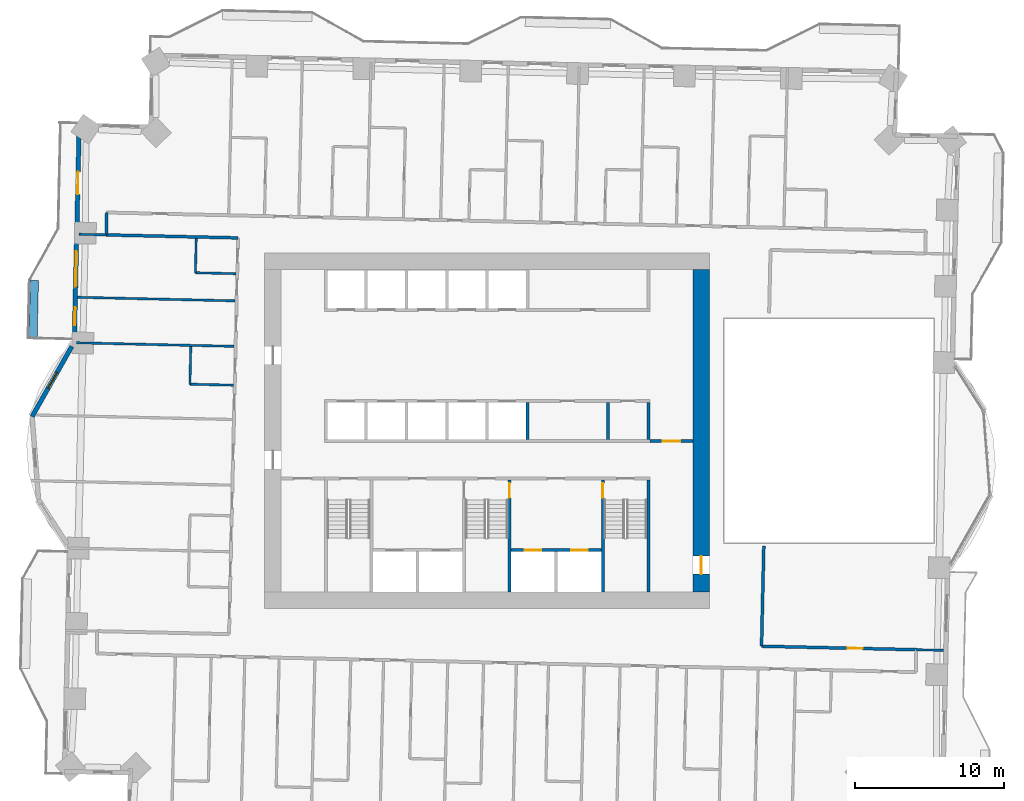
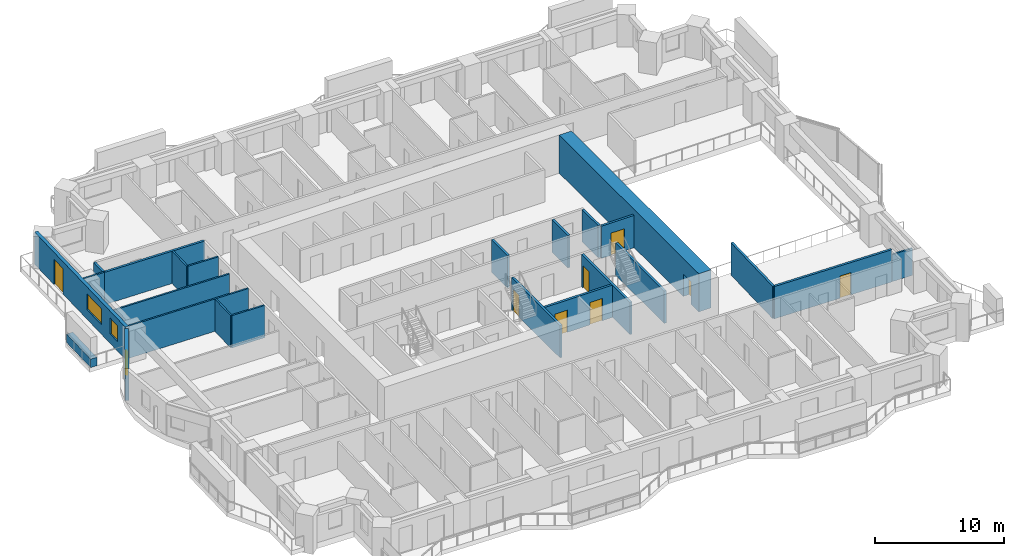
# One storey, part 10 of 18: 24 walls, 8 doors, 3 windows, 11 openings.
"""IFC4 building model written with IfcOpenShell, lengths in metres."""

from ifc_helpers import new_model, si_unit, direction, frame, frame_2d, origin, place, context, subcontext, project, spatial, rectangle, extrude, material, layer, layer_set, type_object, element, fill, save


model = new_model("IFC4")

# Units and contexts
model_context = context("Model", 3, precision=1e-05, world=origin(), true_north=direction((0.0, 1.0)))
body_context = subcontext(model_context, "Body", "Model", "MODEL_VIEW")
ifc_project = project(units=[si_unit("LENGTHUNIT", "METRE"), si_unit("AREAUNIT", "SQUARE_METRE"), si_unit("VOLUMEUNIT", "CUBIC_METRE"), si_unit("PLANEANGLEUNIT", "RADIAN"), si_unit("MASSUNIT", "GRAM", prefix="KILO")], contexts=[model_context])

# Site, building, storey
site_placement = place(None, origin())
site = spatial("IfcSite", under=ifc_project, at=site_placement, CompositionType="ELEMENT")
building_placement = place(site_placement, origin())
building = spatial("IfcBuilding", under=site, at=building_placement, Name="Mangrove Gate Tower", CompositionType="ELEMENT")
storey_placement = place(building_placement, frame((0.0, 0.0, 71.10009765625)))
storey = spatial("IfcBuildingStorey", under=building, at=storey_placement, Name="L17", CompositionType="ELEMENT", Elevation=71.10009765625)

# Wall, opening, door
ifc_material_1 = material(Name="Concrete C32/40", Category="concrete")
ifc_layer_1 = layer(ifc_material_1, 0.199951171875)
ifc_layer_set_1 = layer_set([ifc_layer_1], Name="Core lobby wall 200 C32/40")
wall_type_1 = type_object("IfcWallType", Name="Core lobby wall 200 C32/40", PredefinedType="STANDARD", material=ifc_layer_set_1)
wall_1_placement = place(storey_placement, frame((10.89990234375, -0.699951171875, 0.0), z_axis=(0.0, 0.0, 1.0), x_axis=(1.0, 0.0, 0.0)))
wall_1 = element("IfcWall", 1, at=wall_1_placement, inside=storey, type_object=wall_type_1, Name="WALL-L17-CORE-35", PredefinedType="STANDARD", context=body_context, shape_type="SweptSolid", body=[
    extrude(rectangle(XDim=2.900146484375, YDim=0.199951171875, at=frame_2d((1.4501953125, 0.0))), origin(), (0.0, 0.0, 1.0), 3.0498046875),
])
opening_1_placement = place(wall_1_placement, frame((0.85009765625, 0.0, 0.0)))
opening_1 = element("IfcOpeningElement", 2, at=opening_1_placement, cuts=wall_1, Name="Opening FL12", PredefinedType="OPENING", context=body_context, shape_type="SweptSolid", body=[
    extrude(rectangle(XDim=1.199951171875, YDim=2.10009765625, at=frame_2d((0.60009765625, 1.050048828125))), frame((0.0, 0.10986328125, 0.0), z_axis=(0.0, -1.0, 0.0), x_axis=(1.0, 0.0, 0.0)), (0.0, 0.0, 1.0), 0.219970703125),
])
ifc_material_2 = material(Name="Fire-rated steel door set", Category="steel")
door_type_1 = type_object("IfcDoorType", Name="Lobby door FD60 1200x2100", OperationType="SINGLE_SWING_LEFT", PredefinedType="DOOR", material=ifc_material_2)
door_1_placement = place(opening_1_placement, origin())
door_1 = element("IfcDoor", 3, at=door_1_placement, inside=storey, type_object=door_type_1, Name="Lobby door core corridor E partition", OperationType="SINGLE_SWING_LEFT", OverallHeight=2.10009765625, OverallWidth=1.199951171875, PredefinedType="DOOR", context=body_context, shape_type="SweptSolid", body=[
    extrude(rectangle(XDim=1.199951171875, YDim=2.10009765625, at=frame_2d((0.60009765625, 1.050048828125))), frame((0.0, 0.02490234375, 0.0), z_axis=(0.0, -1.0, 0.0), x_axis=(1.0, 0.0, 0.0)), (0.0, 0.0, 1.0), 0.050048828125),
])
fill(opening_1, door_1)

# Walls
ifc_material_3 = material(Name="Concrete C32/40", Category="concrete")
ifc_layer_2 = layer(ifc_material_3, 0.199951171875)
ifc_layer_set_2 = layer_set([ifc_layer_2], Name="Core room wall 200 C32/40")
wall_type_2 = type_object("IfcWallType", Name="Core room wall 200 C32/40", PredefinedType="STANDARD", material=ifc_layer_set_2)
for number, where, z_axis, x_axis, name in (
    (4, (8.10009765625, -0.60009765625, 0.0), (0.0, 0.0, 1.0), (0.0, 1.0, 0.0), "WALL-L17-CORE-25"),
    (5, (10.800048828125, -0.60009765625, 0.0), (0.0, 0.0, 1.0), (0.0, 1.0, 0.0), "WALL-L17-CORE-26"),
):
    element("IfcWall", number, at=place(storey_placement, frame(where, z_axis=z_axis, x_axis=x_axis)), inside=storey, type_object=wall_type_2, Name=name, PredefinedType="STANDARD", context=body_context, shape_type="SweptSolid", body=[
        extrude(rectangle(XDim=2.5, YDim=0.199951171875, at=frame_2d((1.25, 0.0))), origin(), (0.0, 0.0, 1.0), 3.0498046875),
    ])

# Wall, openings, doors
ifc_material_4 = material(Name="Concrete C70/85", Category="concrete")
ifc_layer_3 = layer(ifc_material_4, 0.199951171875)
ifc_layer_set_3 = layer_set([ifc_layer_3], Name="Core shaft wall 200 C70/85")
wall_type_3 = type_object("IfcWallType", Name="Core shaft wall 200 C70/85", PredefinedType="SHEAR", material=ifc_layer_set_3)
wall_2_placement = place(storey_placement, frame((1.60009765625, -8.0, 0.0), z_axis=(0.0, 0.0, 1.0), x_axis=(1.0, 0.0, 0.0)))
wall_2 = element("IfcWall", 6, at=wall_2_placement, inside=storey, type_object=wall_type_3, Name="WALL-L17-CORE-17", PredefinedType="SHEAR", context=body_context, shape_type="SweptSolid", body=[
    extrude(rectangle(XDim=6.0498046875, YDim=0.199951171875, at=frame_2d((3.02490234375, 0.0))), origin(), (0.0, 0.0, 1.0), 3.0498046875),
])
opening_2_placement = place(wall_2_placement, frame((0.91259765625, 0.0, 0.0)))
opening_2 = element("IfcOpeningElement", 7, at=opening_2_placement, cuts=wall_2, Name="Opening LD", PredefinedType="OPENING", context=body_context, shape_type="SweptSolid", body=[
    extrude(rectangle(XDim=1.10009765625, YDim=2.10009765625, at=frame_2d((0.550048828125, 1.050048828125))), frame((0.0, 0.10986328125, 0.0), z_axis=(0.0, -1.0, 0.0), x_axis=(1.0, 0.0, 0.0)), (0.0, 0.0, 1.0), 0.219970703125),
])
opening_3_placement = place(wall_2_placement, frame((4.03759765625, 0.0, 0.0)))
opening_3 = element("IfcOpeningElement", 8, at=opening_3_placement, cuts=wall_2, Name="Opening LD", PredefinedType="OPENING", context=body_context, shape_type="SweptSolid", body=[
    extrude(rectangle(XDim=1.10009765625, YDim=2.10009765625, at=frame_2d((0.550048828125, 1.050048828125))), frame((0.0, 0.10986328125, 0.0), z_axis=(0.0, -1.0, 0.0), x_axis=(1.0, 0.0, 0.0)), (0.0, 0.0, 1.0), 0.219970703125),
])
ifc_material_5 = material(Name="Stainless steel 316", Category="steel")
door_type_2 = type_object("IfcDoorType", Name="Lift landing door 1100x2100", OperationType="SLIDING_TO_LEFT", PredefinedType="DOOR", material=ifc_material_5)
door_2_placement = place(opening_2_placement, origin())
door_2 = element("IfcDoor", 9, at=door_2_placement, inside=storey, type_object=door_type_2, Name="Landing door LD FFL1", OperationType="SLIDING_TO_LEFT", OverallHeight=2.10009765625, OverallWidth=1.10009765625, PredefinedType="DOOR", context=body_context, shape_type="SweptSolid", body=[
    extrude(rectangle(XDim=1.10009765625, YDim=2.10009765625, at=frame_2d((0.550048828125, 1.050048828125))), frame((0.0, 0.02490234375, 0.0), z_axis=(0.0, -1.0, 0.0), x_axis=(1.0, 0.0, 0.0)), (0.0, 0.0, 1.0), 0.050048828125),
])
fill(opening_2, door_2)
door_3_placement = place(opening_3_placement, origin())
door_3 = element("IfcDoor", 10, at=door_3_placement, inside=storey, type_object=door_type_2, Name="Landing door LD FFL2", OperationType="SLIDING_TO_LEFT", OverallHeight=2.10009765625, OverallWidth=1.10009765625, PredefinedType="DOOR", context=body_context, shape_type="SweptSolid", body=[
    extrude(rectangle(XDim=1.10009765625, YDim=2.10009765625, at=frame_2d((0.550048828125, 1.050048828125))), frame((0.0, 0.02490234375, 0.0), z_axis=(0.0, -1.0, 0.0), x_axis=(1.0, 0.0, 0.0)), (0.0, 0.0, 1.0), 0.050048828125),
])
fill(opening_3, door_3)

# Wall
wall_3_placement = place(storey_placement, frame((2.699951171875, -0.60009765625, 0.0), z_axis=(0.0, 0.0, 1.0), x_axis=(0.0, 1.0, 0.0)))
element("IfcWall", 11, at=wall_3_placement, inside=storey, type_object=wall_type_3, Name="WALL-L17-CORE-24", PredefinedType="SHEAR", context=body_context, shape_type="SweptSolid", body=[
    extrude(rectangle(XDim=2.5, YDim=0.199951171875, at=frame_2d((1.25, 0.0))), origin(), (0.0, 0.0, 1.0), 3.0498046875),
])

# Wall, opening, door
ifc_material_6 = material(Name="Concrete C70/85", Category="concrete")
ifc_layer_4 = layer(ifc_material_6, 0.199951171875)
ifc_layer_set_4 = layer_set([ifc_layer_4], Name="Core stair wall 200 C70/85")
wall_type_4 = type_object("IfcWallType", Name="Core stair wall 200 C70/85", PredefinedType="SHEAR", material=ifc_layer_set_4)
wall_4_placement = place(storey_placement, frame((1.5, -10.800048828125, 0.0), z_axis=(0.0, 0.0, 1.0), x_axis=(0.0, 1.0, 0.0)))
wall_4 = element("IfcWall", 12, at=wall_4_placement, inside=storey, type_object=wall_type_4, Name="WALL-L17-CORE-12", PredefinedType="SHEAR", context=body_context, shape_type="SweptSolid", body=[
    extrude(rectangle(XDim=7.5, YDim=0.199951171875, at=frame_2d((3.75, 0.0))), origin(), (0.0, 0.0, 1.0), 3.0498046875),
])
opening_4_placement = place(wall_4_placement, frame((6.300048828125, 0.0, 0.0)))
opening_4 = element("IfcOpeningElement", 13, at=opening_4_placement, cuts=wall_4, Name="Opening STD10", PredefinedType="OPENING", context=body_context, shape_type="SweptSolid", body=[
    extrude(rectangle(XDim=1.0, YDim=2.10009765625, at=frame_2d((0.5, 1.050048828125))), frame((0.0, 0.10986328125, 0.0), z_axis=(0.0, -1.0, 0.0), x_axis=(1.0, 0.0, 0.0)), (0.0, 0.0, 1.0), 0.219970703125),
])
ifc_material_7 = material(Name="Fire-rated steel door set", Category="steel")
door_type_3 = type_object("IfcDoorType", Name="Stair door FD60 1000x2100", OperationType="SINGLE_SWING_RIGHT", PredefinedType="DOOR", material=ifc_material_7)
door_4_placement = place(opening_4_placement, origin())
door_4 = element("IfcDoor", 14, at=door_4_placement, inside=storey, type_object=door_type_3, Name="Stair door Stair 2 from fire-fighting lobby", OperationType="SINGLE_SWING_RIGHT", OverallHeight=2.10009765625, OverallWidth=1.0, PredefinedType="DOOR", context=body_context, shape_type="SweptSolid", body=[
    extrude(rectangle(XDim=1.0, YDim=2.10009765625, at=frame_2d((0.5, 1.050048828125))), frame((0.0, 0.02490234375, 0.0), z_axis=(0.0, -1.0, 0.0), x_axis=(1.0, 0.0, 0.0)), (0.0, 0.0, 1.0), 0.050048828125),
])
fill(opening_4, door_4)

wall_5_placement = place(storey_placement, frame((7.75, -10.800048828125, 0.0), z_axis=(0.0, 0.0, 1.0), x_axis=(0.0, 1.0, 0.0)))
wall_5 = element("IfcWall", 15, at=wall_5_placement, inside=storey, type_object=wall_type_4, Name="WALL-L17-CORE-13", PredefinedType="SHEAR", context=body_context, shape_type="SweptSolid", body=[
    extrude(rectangle(XDim=7.5, YDim=0.199951171875, at=frame_2d((3.75, 0.0))), origin(), (0.0, 0.0, 1.0), 3.0498046875),
])
opening_5_placement = place(wall_5_placement, frame((6.300048828125, 0.0, 0.0)))
opening_5 = element("IfcOpeningElement", 16, at=opening_5_placement, cuts=wall_5, Name="Opening STD10", PredefinedType="OPENING", context=body_context, shape_type="SweptSolid", body=[
    extrude(rectangle(XDim=1.0, YDim=2.10009765625, at=frame_2d((0.5, 1.050048828125))), frame((0.0, 0.10986328125, 0.0), z_axis=(0.0, -1.0, 0.0), x_axis=(1.0, 0.0, 0.0)), (0.0, 0.0, 1.0), 0.219970703125),
])
door_5_placement = place(opening_5_placement, origin())
door_5 = element("IfcDoor", 17, at=door_5_placement, inside=storey, type_object=door_type_3, Name="Stair door Stair 3 from fire-fighting lobby", OperationType="SINGLE_SWING_RIGHT", OverallHeight=2.10009765625, OverallWidth=1.0, PredefinedType="DOOR", context=body_context, shape_type="SweptSolid", body=[
    extrude(rectangle(XDim=1.0, YDim=2.10009765625, at=frame_2d((0.5, 1.050048828125))), frame((0.0, 0.02490234375, 0.0), z_axis=(0.0, -1.0, 0.0), x_axis=(1.0, 0.0, 0.0)), (0.0, 0.0, 1.0), 0.050048828125),
])
fill(opening_5, door_5)

# Wall
wall_6_placement = place(storey_placement, frame((10.800048828125, -10.800048828125, 0.0), z_axis=(0.0, 0.0, 1.0), x_axis=(0.0, 1.0, 0.0)))
element("IfcWall", 18, at=wall_6_placement, inside=storey, type_object=wall_type_4, Name="WALL-L17-CORE-14", PredefinedType="SHEAR", context=body_context, shape_type="SweptSolid", body=[
    extrude(rectangle(XDim=7.5, YDim=0.199951171875, at=frame_2d((3.75, 0.0))), origin(), (0.0, 0.0, 1.0), 3.0498046875),
])

# Wall, opening, door
ifc_material_8 = material(Name="Concrete C70/85", Category="concrete")
ifc_layer_5 = layer(ifc_material_8, 1.10009765625)
ifc_layer_set_5 = layer_set([ifc_layer_5], Name="Core wall 1100 C70/85")
wall_type_5 = type_object("IfcWallType", Name="Core wall 1100 C70/85", PredefinedType="SHEAR", material=ifc_layer_set_5)
wall_7_placement = place(storey_placement, frame((14.35009765625, -10.800048828125, 0.0), z_axis=(0.0, 0.0, 1.0), x_axis=(0.0, 1.0, 0.0)))
wall_7 = element("IfcWall", 19, at=wall_7_placement, inside=storey, type_object=wall_type_5, Name="WALL-L17-CORE-4", PredefinedType="SHEAR", context=body_context, shape_type="SweptSolid", body=[
    extrude(rectangle(XDim=21.60009765625, YDim=1.10009765625, at=frame_2d((10.800048828125, 0.0))), origin(), (0.0, 0.0, 1.0), 3.599853515625),
])
opening_6_placement = place(wall_7_placement, frame((1.199951171875, 0.0, 0.0)))
opening_6 = element("IfcOpeningElement", 20, at=opening_6_placement, cuts=wall_7, Name="Opening CD", PredefinedType="OPENING", context=body_context, shape_type="SweptSolid", body=[
    extrude(rectangle(XDim=1.199951171875, YDim=2.10009765625, at=frame_2d((0.60009765625, 1.050048828125))), frame((0.0, 0.56005859375, 0.0), z_axis=(0.0, -1.0, 0.0), x_axis=(1.0, 0.0, 0.0)), (0.0, 0.0, 1.0), 1.1201171875),
])
ifc_material_9 = material(Name="Fire-rated steel door set", Category="steel")
door_type_4 = type_object("IfcDoorType", Name="Core ring door FD60 1200x2100", OperationType="DOUBLE_DOOR_SINGLE_SWING", PredefinedType="DOOR", material=ifc_material_9)
door_6_placement = place(opening_6_placement, origin())
door_6 = element("IfcDoor", 21, at=door_6_placement, inside=storey, type_object=door_type_4, Name="Core ring door E1", OperationType="DOUBLE_DOOR_SINGLE_SWING", OverallHeight=2.10009765625, OverallWidth=1.199951171875, PredefinedType="DOOR", context=body_context, shape_type="SweptSolid", body=[
    extrude(rectangle(XDim=1.199951171875, YDim=2.10009765625, at=frame_2d((0.60009765625, 1.050048828125))), frame((0.0, 0.02490234375, 0.0), z_axis=(0.0, -1.0, 0.0), x_axis=(1.0, 0.0, 0.0)), (0.0, 0.0, 1.0), 0.050048828125),
])
fill(opening_6, door_6)

ifc_material_10 = material(Name="Gypsum board on steel stud, EI 60", Category="steel")
ifc_layer_6 = layer(ifc_material_10, 0.199951171875)
ifc_layer_set_6 = layer_set([ifc_layer_6], Name="Corridor wall EI 60")
wall_type_6 = type_object("IfcWallType", Name="Corridor wall EI 60", PredefinedType="PARTITIONING", material=ifc_layer_set_6)
wall_8_placement = place(storey_placement, frame((18.382080078125, -14.43408203125, 0.0), z_axis=(0.0, 0.0, 1.0), x_axis=(0.999743763457, -0.022636418209, 0.0)))
wall_8 = element("IfcWall", 22, at=wall_8_placement, inside=storey, type_object=wall_type_6, Name="WALL-L17-037", PredefinedType="PARTITIONING", context=body_context, shape_type="SweptSolid", body=[
    extrude(rectangle(XDim=10.37548828125, YDim=0.199951171875, at=frame_2d((5.187744140625, 0.0))), origin(), (0.0, 0.0, 1.0), 3.0498046875),
])
opening_7_placement = place(wall_8_placement, frame((5.777099609375, 0.0, 0.0)))
opening_7 = element("IfcOpeningElement", 23, at=opening_7_placement, cuts=wall_8, Name="Opening AD", PredefinedType="OPENING", context=body_context, shape_type="SweptSolid", body=[
    extrude(rectangle(XDim=1.0, YDim=2.10009765625, at=frame_2d((0.5, 1.050048828125))), frame((0.0, 0.10986328125, 0.0), z_axis=(0.0, -1.0, 0.0), x_axis=(1.0, 0.0, 0.0)), (0.0, 0.0, 1.0), 0.219970703125),
])
ifc_material_11 = material(Name="Timber door leaf", Category="wood")
door_type_5 = type_object("IfcDoorType", Name="Amenity door 1000", OperationType="SINGLE_SWING_LEFT", PredefinedType="DOOR", material=ifc_material_11)
door_7_placement = place(opening_7_placement, origin())
door_7 = element("IfcDoor", 24, at=door_7_placement, inside=storey, type_object=door_type_5, Name="DOOR-L17-GAM-c3b", OperationType="SINGLE_SWING_LEFT", OverallHeight=2.10009765625, OverallWidth=1.0, PredefinedType="DOOR", context=body_context, shape_type="SweptSolid", body=[
    extrude(rectangle(XDim=1.0, YDim=2.10009765625, at=frame_2d((0.5, 1.050048828125))), frame((0.0, 0.02490234375, 0.0), z_axis=(0.0, -1.0, 0.0), x_axis=(1.0, 0.0, 0.0)), (0.0, 0.0, 1.0), 0.050048828125),
])
fill(opening_7, door_7)

# Walls
wall_9_placement = place(storey_placement, frame((18.384033203125, -14.43408203125, 0.0), z_axis=(0.0, 0.0, 1.0), x_axis=(0.022773383809, 0.999740652864, 0.0)))
element("IfcWall", 25, at=wall_9_placement, inside=storey, type_object=wall_type_6, Name="WALL-L17-038", PredefinedType="PARTITIONING", context=body_context, shape_type="SweptSolid", body=[
    extrude(rectangle(XDim=6.7216796875, YDim=0.199951171875, at=frame_2d((3.36083984375, 0.0))), origin(), (0.0, 0.0, 1.0), 3.0498046875),
])
wall_10_placement = place(storey_placement, frame((-25.514892578125, 13.118896484375, 0.0), z_axis=(0.0, 0.0, 1.0), x_axis=(0.999741550249, -0.022733954903, 0.0)))
element("IfcWall", 26, at=wall_10_placement, inside=storey, type_object=wall_type_6, Name="WALL-L17-054", PredefinedType="PARTITIONING", context=body_context, shape_type="SweptSolid", body=[
    extrude(rectangle(XDim=8.838134765625, YDim=0.199951171875, at=frame_2d((4.4189453125, 0.0))), origin(), (0.0, 0.0, 1.0), 3.0498046875),
])
wall_11_placement = place(storey_placement, frame((-25.511962890625, 13.118896484375, 0.0), z_axis=(0.0, 0.0, 1.0), x_axis=(0.022617910375, 0.999744182344, 0.0)))
element("IfcWall", 27, at=wall_11_placement, inside=storey, type_object=wall_type_6, Name="WALL-L17-055", PredefinedType="PARTITIONING", context=body_context, shape_type="SweptSolid", body=[
    extrude(rectangle(XDim=1.50048828125, YDim=0.199951171875, at=frame_2d((0.750244140625, 0.0))), origin(), (0.0, 0.0, 1.0), 3.0498046875),
])

# Wall, openings, door, windows
ifc_material_12 = material(Name="Limestone", Category="masonry")
ifc_layer_7 = layer(ifc_material_12, 0.0400390625, Name="Limestone cladding")
ifc_material_13 = material(Name="Ventilated air gap")
ifc_layer_8 = layer(ifc_material_13, 0.0400390625, Name="Ventilated cavity")
ifc_material_14 = material(Name="Mineral wool insulation")
ifc_layer_9 = layer(ifc_material_14, 0.06005859375, Name="Insulation")
ifc_material_15 = material(Name="Breather membrane")
ifc_layer_10 = layer(ifc_material_15, 0.001953125, Name="Breather membrane")
ifc_material_16 = material(Name="Concrete C20/25 blockwork", Category="masonry")
ifc_layer_11 = layer(ifc_material_16, 0.14990234375, Name="Blockwork backing wall")
ifc_material_17 = material(Name="Gypsum plaster")
ifc_layer_12 = layer(ifc_material_17, 0.008056640625, Name="Internal plaster")
ifc_layer_set_7 = layer_set([ifc_layer_7, ifc_layer_8, ifc_layer_9, ifc_layer_10, ifc_layer_11, ifc_layer_12], Name="External wall 300 limestone cladding")
wall_type_7 = type_object("IfcWallType", Name="External wall 300 limestone cladding", PredefinedType="SOLIDWALL", material=ifc_layer_set_7)
wall_12_placement = place(storey_placement, frame((-27.323974609375, 20.4619140625, 0.0), z_axis=(0.0, 0.0, 1.0), x_axis=(-0.022695628174, -0.999742421057, 0.0)))
wall_12 = element("IfcWall", 28, at=wall_12_placement, inside=storey, type_object=wall_type_7, Name="WALL-L17-W8", PredefinedType="SOLIDWALL", context=body_context, shape_type="SweptSolid", body=[
    extrude(rectangle(XDim=14.629638671875, YDim=0.300048828125, at=frame_2d((7.31494140625, 0.0))), origin(), (0.0, 0.0, 1.0), 3.0498046875),
])
opening_8_placement = place(wall_12_placement, frame((3.117919921875, 0.0, 0.0)))
opening_8 = element("IfcOpeningElement", 29, at=opening_8_placement, cuts=wall_12, Name="Opening BD1", PredefinedType="OPENING", context=body_context, shape_type="SweptSolid", body=[
    extrude(rectangle(XDim=1.5, YDim=2.39990234375, at=frame_2d((0.75, 1.199951171875))), frame((0.0, 0.159912109375, 0.0), z_axis=(0.0, -1.0, 0.0), x_axis=(1.0, 0.0, 0.0)), (0.0, 0.0, 1.0), 0.320068359375),
])
opening_9_placement = place(wall_12_placement, frame((8.430908203125, 0.0, 0.89990234375)))
opening_9 = element("IfcOpeningElement", 30, at=opening_9_placement, cuts=wall_12, Name="Opening W2", PredefinedType="OPENING", context=body_context, shape_type="SweptSolid", body=[
    extrude(rectangle(XDim=2.39990234375, YDim=1.5, at=frame_2d((1.199951171875, 0.75))), frame((0.0, 0.159912109375, 0.0), z_axis=(0.0, -1.0, 0.0), x_axis=(1.0, 0.0, 0.0)), (0.0, 0.0, 1.0), 0.320068359375),
])
opening_10_placement = place(wall_12_placement, frame((12.18798828125, 0.0, 0.89990234375)))
opening_10 = element("IfcOpeningElement", 31, at=opening_10_placement, cuts=wall_12, Name="Opening W1", PredefinedType="OPENING", context=body_context, shape_type="SweptSolid", body=[
    extrude(rectangle(XDim=1.199951171875, YDim=1.5, at=frame_2d((0.60009765625, 0.75))), frame((0.0, 0.159912109375, 0.0), z_axis=(0.0, -1.0, 0.0), x_axis=(1.0, 0.0, 0.0)), (0.0, 0.0, 1.0), 0.320068359375),
])
ifc_material_18 = material(Name="Aluminium frame with laminated clear glass", Category="aluminium")
door_type_6 = type_object("IfcDoorType", Name="Balcony sliding door 1500x2400", OperationType="SLIDING_TO_LEFT", PredefinedType="DOOR", material=ifc_material_18)
door_8_placement = place(opening_8_placement, origin())
door_8 = element("IfcDoor", 32, at=door_8_placement, inside=storey, type_object=door_type_6, Name="DOOR-L17-W8-1", OperationType="SLIDING_TO_LEFT", OverallHeight=2.39990234375, OverallWidth=1.5, PredefinedType="DOOR", context=body_context, shape_type="SweptSolid", body=[
    extrude(rectangle(XDim=1.5, YDim=2.39990234375, at=frame_2d((0.75, 1.199951171875))), frame((0.0, 0.02490234375, 0.0), z_axis=(0.0, -1.0, 0.0), x_axis=(1.0, 0.0, 0.0)), (0.0, 0.0, 1.0), 0.050048828125),
])
fill(opening_8, door_8)
ifc_material_19 = material(Name="Aluminium frame with double-glazed low-e glass", Category="aluminium")
window_type_1 = type_object("IfcWindowType", Name="Corner room window 2400x1500", PartitioningType="DOUBLE_PANEL_VERTICAL", PredefinedType="WINDOW", material=ifc_material_19)
window_1_placement = place(opening_9_placement, origin())
window_1 = element("IfcWindow", 33, at=window_1_placement, inside=storey, type_object=window_type_1, Name="WIN-L17-W8-2", OverallHeight=1.5, OverallWidth=2.39990234375, PartitioningType="DOUBLE_PANEL_VERTICAL", PredefinedType="WINDOW", context=body_context, shape_type="SweptSolid", body=[
    extrude(rectangle(XDim=2.39990234375, YDim=1.5, at=frame_2d((1.199951171875, 0.75))), frame((0.0, 0.030029296875, 0.0), z_axis=(0.0, -1.0, 0.0), x_axis=(1.0, 0.0, 0.0)), (0.0, 0.0, 1.0), 0.06005859375),
])
fill(opening_9, window_1)
ifc_material_20 = material(Name="Aluminium frame with double-glazed low-e glass", Category="aluminium")
window_type_2 = type_object("IfcWindowType", Name="Side lite 1200x1500", PartitioningType="SINGLE_PANEL", PredefinedType="WINDOW", material=ifc_material_20)
window_2_placement = place(opening_10_placement, origin())
window_2 = element("IfcWindow", 34, at=window_2_placement, inside=storey, type_object=window_type_2, Name="WIN-L17-W8-3", OverallHeight=1.5, OverallWidth=1.199951171875, PartitioningType="SINGLE_PANEL", PredefinedType="WINDOW", context=body_context, shape_type="SweptSolid", body=[
    extrude(rectangle(XDim=1.199951171875, YDim=1.5, at=frame_2d((0.60009765625, 0.75))), frame((0.0, 0.030029296875, 0.0), z_axis=(0.0, -1.0, 0.0), x_axis=(1.0, 0.0, 0.0)), (0.0, 0.0, 1.0), 0.06005859375),
])
fill(opening_10, window_2)

# Wall, opening, window
wall_13_placement = place(storey_placement, frame((-27.820068359375, 5.64990234375, 0.0), z_axis=(0.0, 0.0, 1.0), x_axis=(-0.492554919955, -0.870281363025, 0.0)))
wall_13 = element("IfcWall", 35, at=wall_13_placement, inside=storey, type_object=wall_type_7, Name="WALL-L17-W9f1", PredefinedType="SOLIDWALL", context=body_context, shape_type="SweptSolid", body=[
    extrude(rectangle(XDim=5.398193359375, YDim=0.300048828125, at=frame_2d((2.69921875, 0.0))), origin(), (0.0, 0.0, 1.0), 3.0498046875),
])
opening_11_placement = place(wall_13_placement, frame((2.008056640625, 0.0, 0.89990234375)))
opening_11 = element("IfcOpeningElement", 36, at=opening_11_placement, cuts=wall_13, Name="Opening W1", PredefinedType="OPENING", context=body_context, shape_type="SweptSolid", body=[
    extrude(rectangle(XDim=1.199951171875, YDim=1.5, at=frame_2d((0.60009765625, 0.75))), frame((0.0, 0.159912109375, 0.0), z_axis=(0.0, -1.0, 0.0), x_axis=(1.0, 0.0, 0.0)), (0.0, 0.0, 1.0), 0.320068359375),
])
window_3_placement = place(opening_11_placement, origin())
window_3 = element("IfcWindow", 37, at=window_3_placement, inside=storey, type_object=window_type_2, Name="WIN-L17-W9f1", OverallHeight=1.5, OverallWidth=1.199951171875, PartitioningType="SINGLE_PANEL", PredefinedType="WINDOW", context=body_context, shape_type="SweptSolid", body=[
    extrude(rectangle(XDim=1.199951171875, YDim=1.5, at=frame_2d((0.60009765625, 0.75))), frame((0.0, 0.030029296875, 0.0), z_axis=(0.0, -1.0, 0.0), x_axis=(1.0, 0.0, 0.0)), (0.0, 0.0, 1.0), 0.06005859375),
])
fill(opening_11, window_3)

# Walls
ifc_material_21 = material(Name="Gypsum board on steel stud, EI 60", Category="steel")
ifc_layer_13 = layer(ifc_material_21, 0.14990234375)
ifc_layer_set_8 = layer_set([ifc_layer_13], Name="Party wall 150 EI 60")
wall_type_8 = type_object("IfcWallType", Name="Party wall 150 EI 60", PredefinedType="PARTITIONING", material=ifc_layer_set_8)
wall_14_placement = place(storey_placement, frame((28.7548828125, -14.6689453125, 0.0), z_axis=(0.0, 0.0, 1.0), x_axis=(0.999735161806, -0.023013175566, 0.0)))
element("IfcWall", 38, at=wall_14_placement, inside=storey, type_object=wall_type_8, Name="WALL-L17-039", PredefinedType="PARTITIONING", context=body_context, shape_type="SweptSolid", body=[
    extrude(rectangle(XDim=1.82470703125, YDim=0.14990234375, at=frame_2d((0.912353515625, 0.0))), origin(), (0.0, 0.0, 1.0), 2.5498046875),
])
wall_15_placement = place(storey_placement, frame((-19.906982421875, 3.114013671875, 0.0), z_axis=(0.0, 0.0, 1.0), x_axis=(0.022523775833, 0.999746307581, 0.0)))
element("IfcWall", 39, at=wall_15_placement, inside=storey, type_object=wall_type_8, Name="WALL-L17-046", PredefinedType="PARTITIONING", context=body_context, shape_type="SweptSolid", body=[
    extrude(rectangle(XDim=2.525634765625, YDim=0.14990234375, at=frame_2d((1.2626953125, 0.0))), origin(), (0.0, 0.0, 1.0), 3.0498046875),
])
wall_16_placement = place(storey_placement, frame((-19.902099609375, 3.118896484375, 0.0), z_axis=(0.0, 0.0, 1.0), x_axis=(0.999741618182, -0.022730967319, 0.0)))
element("IfcWall", 40, at=wall_16_placement, inside=storey, type_object=wall_type_8, Name="WALL-L17-047", PredefinedType="PARTITIONING", context=body_context, shape_type="SweptSolid", body=[
    extrude(rectangle(XDim=2.89990234375, YDim=0.14990234375, at=frame_2d((1.449951171875, 0.0))), origin(), (0.0, 0.0, 1.0), 3.0498046875),
])
wall_17_placement = place(storey_placement, frame((-27.5048828125, 5.89208984375, 0.0), z_axis=(0.0, 0.0, 1.0), x_axis=(0.999743990669, -0.022626381091, 0.0)))
element("IfcWall", 41, at=wall_17_placement, inside=storey, type_object=wall_type_8, Name="WALL-L17-048", PredefinedType="PARTITIONING", context=body_context, shape_type="SweptSolid", body=[
    extrude(rectangle(XDim=10.5634765625, YDim=0.14990234375, at=frame_2d((5.28173828125, 0.0))), origin(), (0.0, 0.0, 1.0), 3.0498046875),
])
wall_18_placement = place(storey_placement, frame((-27.43505859375, 8.94091796875, 0.0), z_axis=(0.0, 0.0, 1.0), x_axis=(0.999743955169, -0.022627949603, 0.0)))
element("IfcWall", 42, at=wall_18_placement, inside=storey, type_object=wall_type_8, Name="WALL-L17-049", PredefinedType="PARTITIONING", context=body_context, shape_type="SweptSolid", body=[
    extrude(rectangle(XDim=10.562744140625, YDim=0.14990234375, at=frame_2d((5.28125, 0.0))), origin(), (0.0, 0.0, 1.0), 2.5498046875),
])
wall_19_placement = place(storey_placement, frame((-19.5380859375, 10.5830078125, 0.0), z_axis=(0.0, 0.0, 1.0), x_axis=(0.022612884682, 0.999744296031, 0.0)))
element("IfcWall", 43, at=wall_19_placement, inside=storey, type_object=wall_type_8, Name="WALL-L17-051", PredefinedType="PARTITIONING", context=body_context, shape_type="SweptSolid", body=[
    extrude(rectangle(XDim=2.299560546875, YDim=0.14990234375, at=frame_2d((1.14990234375, 0.0))), origin(), (0.0, 0.0, 1.0), 3.0498046875),
])
wall_20_placement = place(storey_placement, frame((-19.532958984375, 10.5830078125, 0.0), z_axis=(0.0, 0.0, 1.0), x_axis=(0.999736155505, -0.022969966847, 0.0)))
element("IfcWall", 44, at=wall_20_placement, inside=storey, type_object=wall_type_8, Name="WALL-L17-052", PredefinedType="PARTITIONING", context=body_context, shape_type="SweptSolid", body=[
    extrude(rectangle(XDim=2.69970703125, YDim=0.14990234375, at=frame_2d((1.349853515625, 0.0))), origin(), (0.0, 0.0, 1.0), 3.0498046875),
])
wall_21_placement = place(storey_placement, frame((-27.340087890625, 13.159912109375, 0.0), z_axis=(0.0, 0.0, 1.0), x_axis=(0.999748678707, -0.022418283238, 0.0)))
element("IfcWall", 45, at=wall_21_placement, inside=storey, type_object=wall_type_8, Name="WALL-L17-053", PredefinedType="PARTITIONING", context=body_context, shape_type="SweptSolid", body=[
    extrude(rectangle(XDim=1.82958984375, YDim=0.14990234375, at=frame_2d((0.914794921875, 0.0))), origin(), (0.0, 0.0, 1.0), 3.0498046875),
])
ifc_material_22 = material(Name="Concrete C32/40", Category="concrete")
ifc_layer_14 = layer(ifc_material_22, 0.199951171875, Name="Planter trough wall")
ifc_material_23 = material(Name="Bituminous waterproofing membrane")
ifc_layer_15 = layer(ifc_material_23, 0.0048828125, Name="Waterproofing")
ifc_material_24 = material(Name="Drainage board and gravel")
ifc_layer_16 = layer(ifc_material_24, 0.044921875, Name="Drainage layer")
ifc_material_25 = material(Name="Planting soil")
ifc_layer_17 = layer(ifc_material_25, 0.300048828125, Name="Growing medium")
ifc_layer_set_9 = layer_set([ifc_layer_14, ifc_layer_15, ifc_layer_16, ifc_layer_17], Name="Planter wall 550 C32/40")
wall_type_9 = type_object("IfcWallType", Name="Planter wall 550 C32/40", PredefinedType="USERDEFINED", material=ifc_layer_set_9)
wall_22_placement = place(storey_placement, frame((-30.4130859375, 6.2041015625, 0.0), z_axis=(0.0, 0.0, 1.0), x_axis=(0.022745736617, 0.999741282265, 0.0)))
element("IfcWall", 46, at=wall_22_placement, inside=storey, type_object=wall_type_9, Name="PLANTER L17 W0.1", ObjectType="PLANTER", PredefinedType="USERDEFINED", context=body_context, shape_type="SweptSolid", body=[
    extrude(rectangle(XDim=3.874755859375, YDim=0.550048828125, at=frame_2d((1.9375, 0.0))), origin(), (0.0, 0.0, 1.0), 0.7998046875),
])

save(model, "model.ifc")
